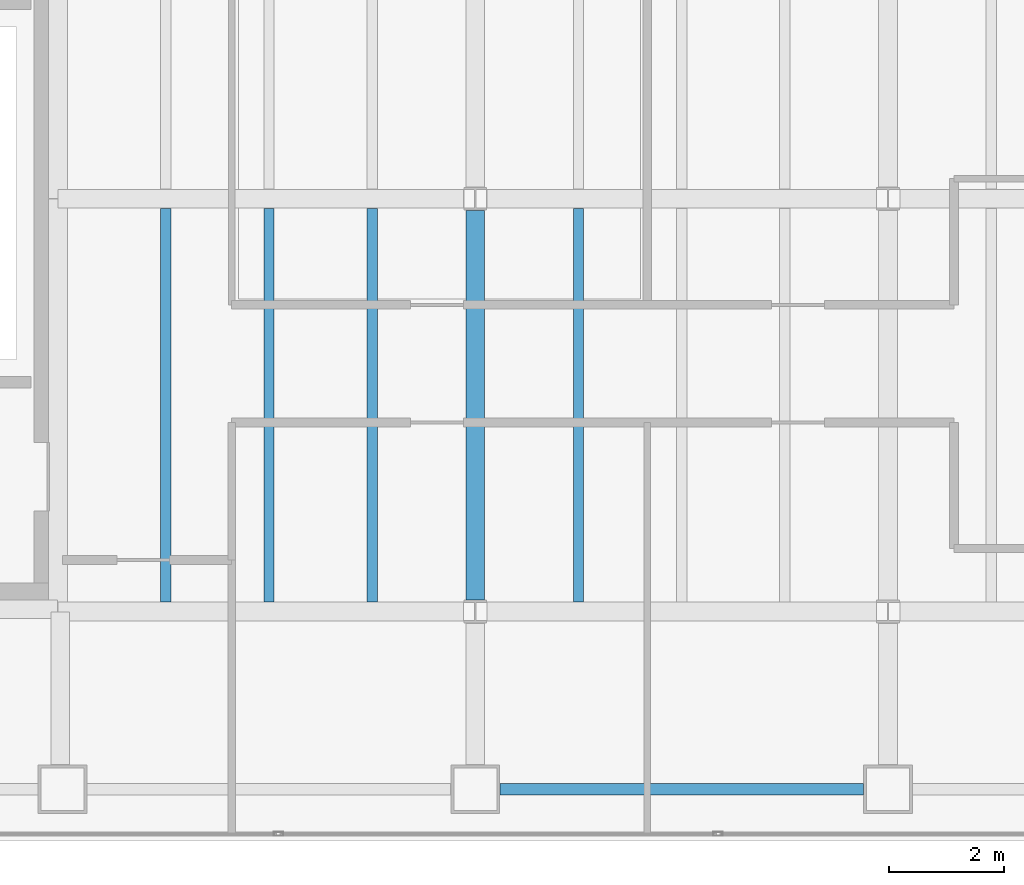
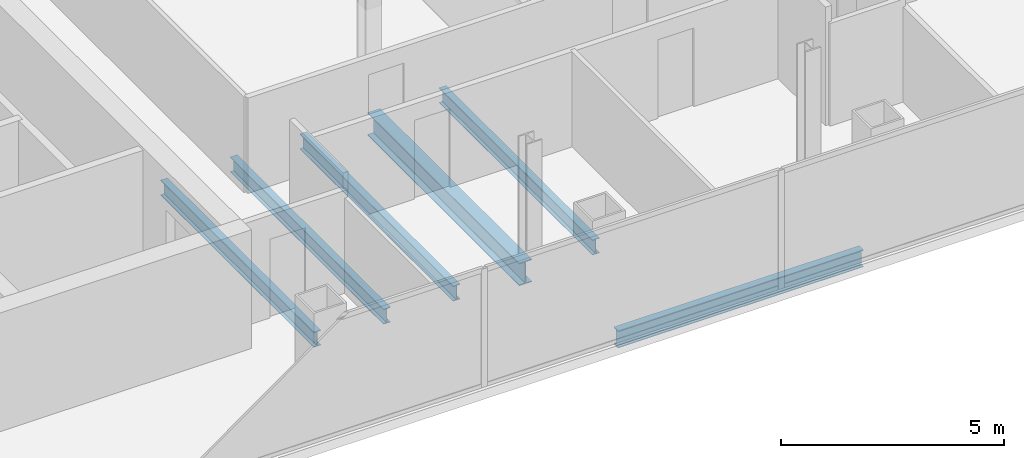
# One storey, part 5 of 23: 6 beams.
"""IFC4 building model written with IfcOpenShell, lengths in metres."""

from ifc_helpers import new_model, si_unit, direction, frame, origin, origin_2d, place, context, subcontext, project, spatial, i_section, extrude, material, material_profile, profile_set, type_object, element, save


model = new_model("IFC4")

# Units and contexts
model_context = context("Model", 3, precision=1e-05, world=origin(), true_north=direction((0.0, 1.0)))
body_context = subcontext(model_context, "Body", "Model", "MODEL_VIEW")
ifc_project = project(units=[si_unit("LENGTHUNIT", "METRE"), si_unit("AREAUNIT", "SQUARE_METRE"), si_unit("VOLUMEUNIT", "CUBIC_METRE"), si_unit("PLANEANGLEUNIT", "RADIAN"), si_unit("MASSUNIT", "GRAM", prefix="KILO")], contexts=[model_context])

# Site, building, storey
site_placement = place(None, origin())
site = spatial("IfcSite", under=ifc_project, at=site_placement, CompositionType="ELEMENT")
building_placement = place(site_placement, origin())
building = spatial("IfcBuilding", under=site, at=building_placement, Name="Cobrela Telecom Tower", CompositionType="ELEMENT")
storey_placement = place(building_placement, frame((0.0, 0.0, 173.25)))
storey = spatial("IfcBuildingStorey", under=building, at=storey_placement, Name="L43", CompositionType="ELEMENT", Elevation=173.25)

# Beams
ifc_material = material(Name="Steel ASTM A992 Grade 50", Category="steel")
ifc_material_profile_1 = material_profile(ifc_material, i_section(OverallWidth=0.327880859375, OverallDepth=0.6220703125, WebThickness=0.015380859375, FlangeThickness=0.0244140625, FilletRadius=0.014892578125, at=origin_2d()), Name="W24X131")
ifc_profile_set_1 = profile_set([ifc_material_profile_1], Name="Steel ASTM A992 Grade 50")
beam_type_1 = type_object("IfcBeamType", Name="BM-GIRD-06", PredefinedType="USERDEFINED", material=ifc_profile_set_1)
beam_1_placement = place(storey_placement, frame((21.60009765625, 7.404541015625, -0.571044921875), z_axis=(0.0, 1.0, 0.0), x_axis=(-1.0, 0.0, 0.0)))
element("IfcBeam", 1, at=beam_1_placement, inside=storey, type_object=beam_type_1, Name="L43 Primary Girder Y33", ObjectType="GIRDER", PredefinedType="USERDEFINED", context=body_context, shape_type="SweptSolid", body=[
    extrude(i_section(OverallWidth=0.327880859375, OverallDepth=0.6220703125, WebThickness=0.015380859375, FlangeThickness=0.0244140625, FilletRadius=0.014892578125, at=origin_2d()), origin(), (0.0, 0.0, 1.0), 6.791015625),
])
ifc_material_profile_2 = material_profile(ifc_material, i_section(OverallWidth=0.179931640625, OverallDepth=0.4169921875, WebThickness=0.010986328125, FlangeThickness=0.01806640625, FilletRadius=0.011962890625, at=origin_2d()), Name="W16X57")
ifc_profile_set_2 = profile_set([ifc_material_profile_2], Name="Steel ASTM A992 Grade 50")
beam_type_2 = type_object("IfcBeamType", Name="BM-JOIST-04", PredefinedType="JOIST", material=ifc_profile_set_2)
for number, where, z_axis, x_axis, name in (
    (2, (16.199951171875, 7.368896484375, -0.468505859375), (0.0, 1.0, 0.0), (-1.0, 0.0, 0.0), "L43 Secondary Composite Floor Beam J01"),
    (3, (18.0, 7.368896484375, -0.468505859375), (0.0, 1.0, 0.0), (-1.0, 0.0, 0.0), "L43 Secondary Composite Floor Beam J05"),
    (4, (19.800048828125, 7.368896484375, -0.468505859375), (0.0, 1.0, 0.0), (-1.0, 0.0, 0.0), "L43 Secondary Composite Floor Beam J09"),
    (5, (23.39990234375, 7.368896484375, -0.468505859375), (0.0, 1.0, 0.0), (-1.0, 0.0, 0.0), "L43 Secondary Composite Floor Beam J13"),
):
    element("IfcBeam", number, at=place(storey_placement, frame(where, z_axis=z_axis, x_axis=x_axis)), inside=storey, type_object=beam_type_2, Name=name, PredefinedType="JOIST", context=body_context, shape_type="SweptSolid", body=[
        extrude(i_section(OverallWidth=0.179931640625, OverallDepth=0.4169921875, WebThickness=0.010986328125, FlangeThickness=0.01806640625, FilletRadius=0.011962890625, at=origin_2d()), origin(), (0.0, 0.0, 1.0), 6.862060546875),
    ])
ifc_material_profile_3 = material_profile(ifc_material, i_section(OverallWidth=0.193115234375, OverallDepth=0.467041015625, WebThickness=0.011474609375, FlangeThickness=0.01904296875, FilletRadius=0.012939453125, at=origin_2d()), Name="W18X65")
ifc_profile_set_3 = profile_set([ifc_material_profile_3], Name="Steel ASTM A992 Grade 50")
beam_type_3 = type_object("IfcBeamType", Name="BM-SPAND-05", PredefinedType="SPANDREL", material=ifc_profile_set_3)
beam_2_placement = place(storey_placement, frame((22.030029296875, 4.10009765625, -0.493408203125), z_axis=(1.0, 0.0, 0.0), x_axis=(0.0, 1.0, 0.0)))
element("IfcBeam", 6, at=beam_2_placement, inside=storey, type_object=beam_type_3, Name="L43 Perimeter Spandrel X03", PredefinedType="SPANDREL", context=body_context, shape_type="SweptSolid", body=[
    extrude(i_section(OverallWidth=0.193115234375, OverallDepth=0.467041015625, WebThickness=0.011474609375, FlangeThickness=0.01904296875, FilletRadius=0.012939453125, at=origin_2d()), origin(), (0.0, 0.0, 1.0), 6.340087890625),
])

save(model, "model.ifc")
